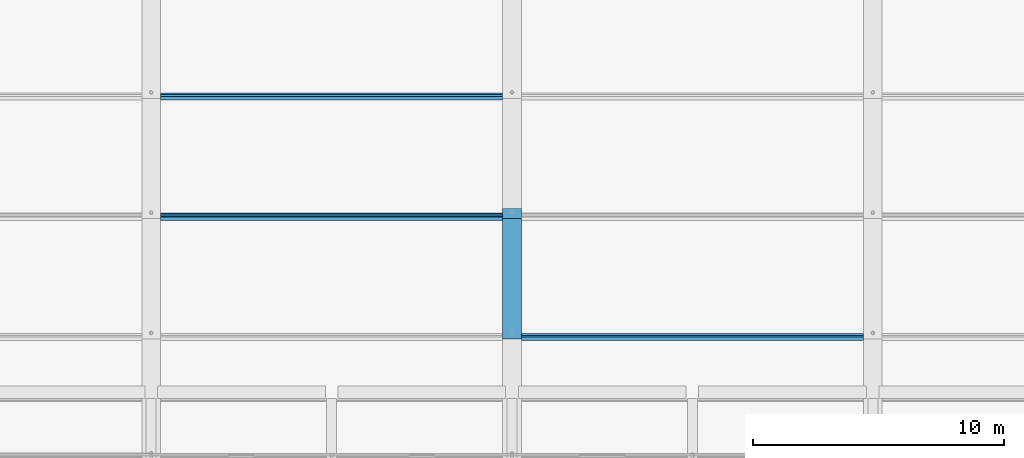
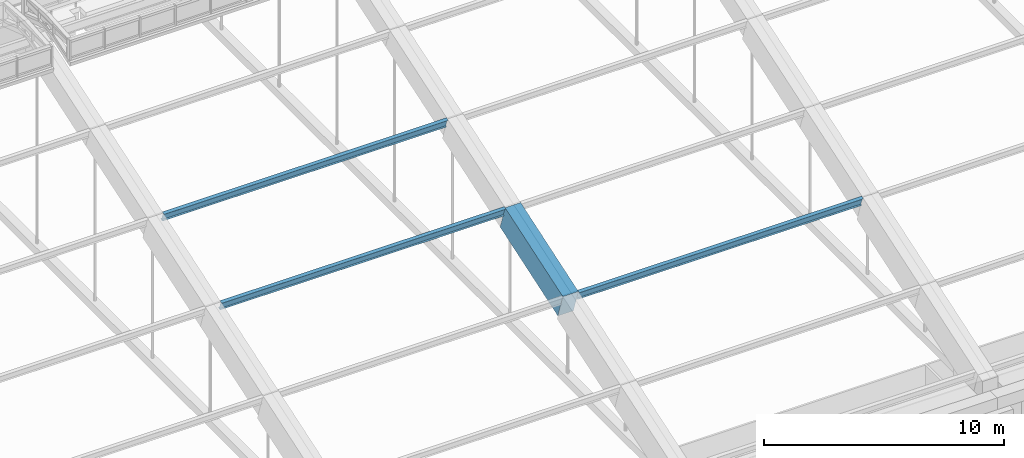
# One storey, part 16 of 149: 3 members, 1 beam.
"""IFC4 building model written with IfcOpenShell, lengths in metres."""

from ifc_helpers import new_model, si_unit, direction, frame, origin, origin_2d, place, context, subcontext, project, spatial, rectangle, i_section, extrude, material, material_profile, profile_set, type_object, element, save


model = new_model("IFC4")

# Units and contexts
model_context = context("Model", 3, precision=1e-05, world=origin(), true_north=direction((0.0, 1.0)))
body_context = subcontext(model_context, "Body", "Model", "MODEL_VIEW")
ifc_project = project(units=[si_unit("LENGTHUNIT", "METRE"), si_unit("AREAUNIT", "SQUARE_METRE"), si_unit("VOLUMEUNIT", "CUBIC_METRE"), si_unit("PLANEANGLEUNIT", "RADIAN"), si_unit("MASSUNIT", "GRAM", prefix="KILO")], contexts=[model_context])

# Site, building, storey
site_placement = place(None, origin())
site = spatial("IfcSite", under=ifc_project, at=site_placement, CompositionType="ELEMENT")
building_placement = place(site_placement, origin())
building = spatial("IfcBuilding", under=site, at=building_placement, Name="Alderwick Market Hall", CompositionType="ELEMENT")
storey_placement = place(building_placement, frame((0.0, 0.0, 9.60009765625)))
storey = spatial("IfcBuildingStorey", under=building, at=storey_placement, Name="L01", CompositionType="ELEMENT", Elevation=9.60009765625)

# Beam
ifc_material_1 = material(Name="Concrete 5000 psi (f'c 35 MPa)", Category="concrete")
ifc_material_profile_1 = material_profile(ifc_material_1, rectangle(XDim=0.75, YDim=1.300048828125, at=origin_2d()), Name="RC 750x1300")
ifc_profile_set_1 = profile_set([ifc_material_profile_1], Name="Concrete 5000 psi (f'c 35 MPa)")
beam_type = type_object("IfcBeamType", Name="R Arch Rib Haunch 750x1300", PredefinedType="BEAM", material=ifc_profile_set_1)
beam_placement = place(storey_placement, frame((93.60009765625, 59.96826171875, 9.894775390625), z_axis=(0.0, 0.948678472761, 0.316242241517), x_axis=(-1.0, 0.0, 0.0)))
element("IfcBeam", 1, at=beam_placement, inside=storey, type_object=beam_type, Name="Arch rib 4 chord 3", PredefinedType="BEAM", context=body_context, shape_type="SweptSolid", body=[
    extrude(rectangle(XDim=0.75, YDim=1.300048828125, at=origin_2d()), origin(), (0.0, 0.0, 1.0), 5.059814453125),
])

# Members
ifc_material_2 = material(Name="Steel ASTM A992 Grade 50", Category="steel")
ifc_material_profile_2 = material_profile(ifc_material_2, i_section(OverallWidth=0.153076171875, OverallDepth=0.455078125, WebThickness=0.008056640625, FlangeThickness=0.01318359375, at=origin_2d()), Name="W18x40")
ifc_profile_set_2 = profile_set([ifc_material_profile_2], Name="Steel ASTM A992 Grade 50")
member_type = type_object("IfcMemberType", Name="R Purlin W18x40", PredefinedType="PURLIN", material=ifc_profile_set_2)
member_placement = place(storey_placement, frame((93.97509765625, 59.836669921875, 10.289794921875), z_axis=(1.0, 0.0, 0.0), x_axis=(0.0, 0.948683297073, 0.316227768949)))
element("IfcMember", 2, at=member_placement, inside=storey, type_object=member_type, Name="Roof purlin 3.4", PredefinedType="PURLIN", context=body_context, shape_type="SweptSolid", body=[
    extrude(i_section(OverallWidth=0.153076171875, OverallDepth=0.455078125, WebThickness=0.008056640625, FlangeThickness=0.01318359375, at=origin_2d()), origin(), (0.0, 0.0, 1.0), 13.64990234375),
])
for number, where, z_axis, x_axis, name in (
    (3, (79.574951171875, 64.63671875, 11.889892578125), (1.0, 0.0, 0.0), (0.0, 0.948683297073, 0.316227768949), "Roof purlin 4.3"),
    (4, (79.574951171875, 69.436767578125, 13.489990234375), (1.0, 0.0, 0.0), (0.0, 0.948683297073, 0.316227768949), "Roof purlin 5.3"),
):
    element("IfcMember", number, at=place(storey_placement, frame(where, z_axis=z_axis, x_axis=x_axis)), inside=storey, type_object=member_type, Name=name, PredefinedType="PURLIN", context=body_context, shape_type="SweptSolid", body=[
        extrude(i_section(OverallWidth=0.153076171875, OverallDepth=0.455078125, WebThickness=0.008056640625, FlangeThickness=0.01318359375, at=origin_2d()), origin(), (0.0, 0.0, 1.0), 13.650146484375),
    ])

save(model, "model.ifc")
